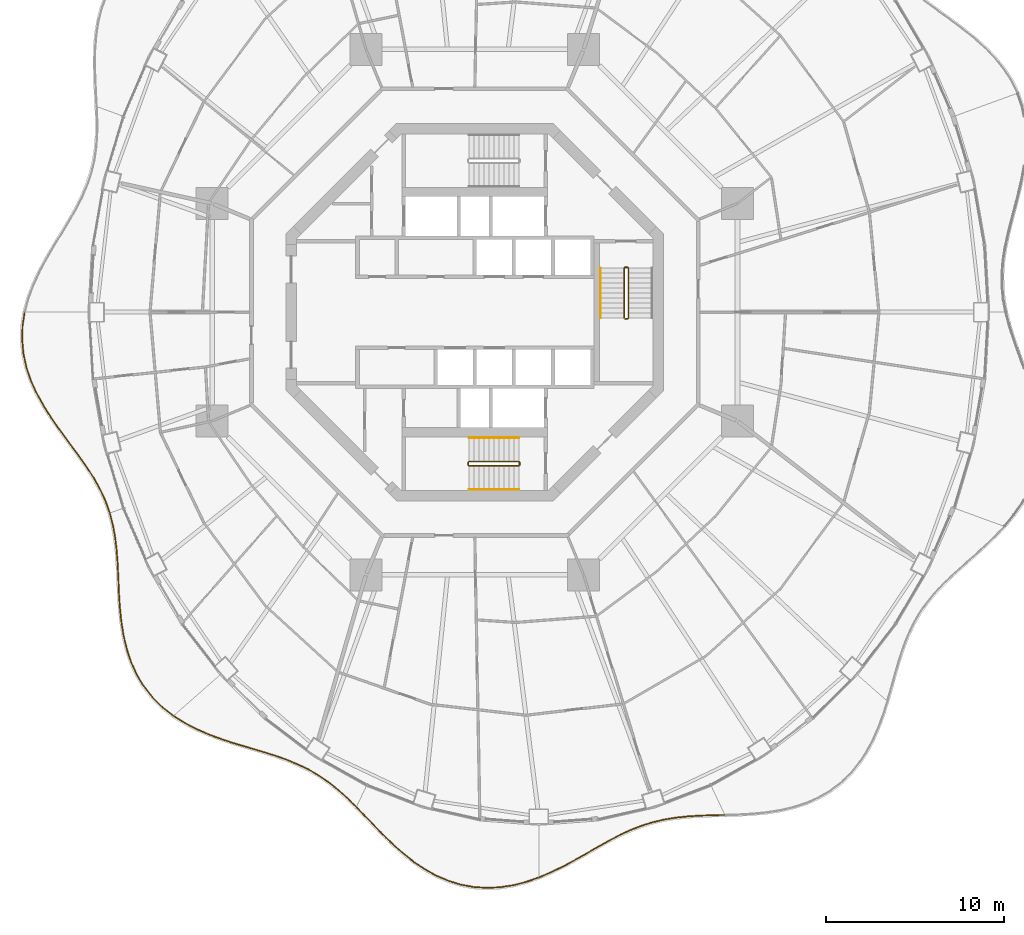
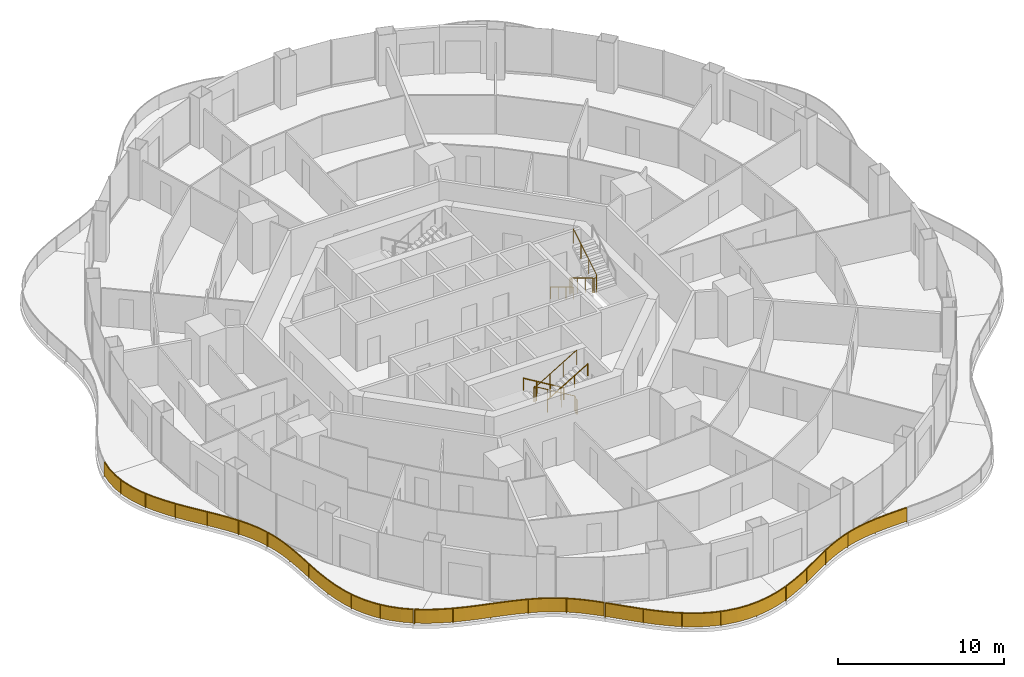
# One storey, part 17 of 19: 10 railings.
"""IFC4 building model written with IfcOpenShell, lengths in metres."""

from ifc_helpers import new_model, si_unit, direction, frame, origin, origin_2d, place, context, subcontext, project, spatial, polyline, rectangle, circle, outline, extrude, material, type_object, element, save


model = new_model("IFC4")

# Units and contexts
model_context = context("Model", 3, precision=1e-05, world=origin(), true_north=direction((0.0, 1.0)))
body_context = subcontext(model_context, "Body", "Model", "MODEL_VIEW")
ifc_project = project(units=[si_unit("LENGTHUNIT", "METRE"), si_unit("AREAUNIT", "SQUARE_METRE"), si_unit("VOLUMEUNIT", "CUBIC_METRE"), si_unit("PLANEANGLEUNIT", "RADIAN"), si_unit("MASSUNIT", "GRAM", prefix="KILO")], contexts=[model_context])

# Site, building, storey
site_placement = place(None, origin())
site = spatial("IfcSite", under=ifc_project, at=site_placement, CompositionType="ELEMENT")
building_placement = place(site_placement, origin())
building = spatial("IfcBuilding", under=site, at=building_placement, Name="Nagisa Residences", CompositionType="ELEMENT")
storey_placement = place(building_placement, frame((0.0, 0.0, 173.300048828125)))
storey = spatial("IfcBuildingStorey", under=building, at=storey_placement, Name="L43", CompositionType="ELEMENT", Elevation=173.300048828125)

# Railings
ifc_material_1 = material(Name="Stainless steel 316", Category="steel")
railing_type_1 = type_object("IfcRailingType", Name="BALCONY GUARD 1100", PredefinedType="BALUSTRADE", material=ifc_material_1)
railing_1_placement = place(storey_placement, frame((-25.33544921875, -0.038330078125, 0.0)))
element("IfcRailing", 1, at=railing_1_placement, inside=storey, type_object=railing_type_1, Name="guard:L43:bal08-0", PredefinedType="BALUSTRADE", context=body_context, shape_type="SweptSolid", body=[
    extrude(outline(polyline([(-0.087890625, -0.7431640625), (0.024658203125, -0.003662109375), (-0.024658203125, 0.003662109375), (-0.1376953125, -0.73876953125), (-0.160888671875, -1.529541015625), (-0.0849609375, -2.316650390625), (0.087158203125, -3.094482421875), (0.34912109375, -3.857666015625), (0.68798828125, -4.589111328125), (1.093017578125, -5.313232421875), (1.545654296875, -6.01611328125), (2.02685546875, -6.698974609375), (2.517822265625, -7.364013671875), (2.996337890625, -8.002197265625), (3.45166015625, -8.64599609375), (3.866455078125, -9.2890625), (4.229736328125, -9.937744140625), (4.53369140625, -10.5986328125), (4.7626953125, -11.240234375), (4.81005859375, -11.2236328125), (4.580078125, -10.57958984375), (4.274169921875, -9.914794921875), (3.909423828125, -9.26318359375), (3.4931640625, -8.6181640625), (3.036865234375, -7.972900390625), (2.557861328125, -7.334228515625), (2.0673828125, -6.669677734375), (1.587158203125, -5.98828125), (1.135986328125, -5.287353515625), (0.732421875, -4.566162109375), (0.3955078125, -3.839111328125), (0.135498046875, -3.080810546875), (-0.03564453125, -2.308837890625), (-0.110595703125, -1.528076171875), (-0.087890625, -0.7431640625)])), frame((0.0, 0.0, 1.050048828125)), (0.0, 0.0, 1.0), 0.050048828125),
    extrude(outline(polyline([(-0.105712890625, -0.74169921875), (0.0068359375, -0.0009765625), (-0.0068359375, 0.0009765625), (-0.119873046875, -0.740234375), (-0.142822265625, -1.529052734375), (-0.067138671875, -2.313720703125), (0.1044921875, -3.089599609375), (0.36572265625, -3.85107421875), (0.703857421875, -4.580810546875), (1.1083984375, -5.303955078125), (1.560546875, -6.006103515625), (2.04150390625, -6.6884765625), (2.5322265625, -7.353271484375), (3.010986328125, -7.99169921875), (3.466552734375, -8.635986328125), (3.8818359375, -9.27978515625), (4.24560546875, -9.929443359375), (4.55029296875, -10.591796875), (4.77978515625, -11.234375), (4.79296875, -11.2294921875), (4.5634765625, -10.58642578125), (4.25830078125, -9.923095703125), (3.89404296875, -9.2724609375), (3.478271484375, -8.628173828125), (3.022216796875, -7.9833984375), (2.54345703125, -7.344970703125), (2.052734375, -6.68017578125), (1.572265625, -5.998291015625), (1.12060546875, -5.296630859375), (0.716552734375, -4.574462890625), (0.37890625, -3.845703125), (0.1181640625, -3.085693359375), (-0.053466796875, -2.311767578125), (-0.128662109375, -1.528564453125), (-0.105712890625, -0.74169921875)])), frame((0.0, 0.0, 0.06005859375)), (0.0, 0.0, 1.0), 0.989990234375),
    extrude(rectangle(XDim=0.0400390625, YDim=0.0400390625, at=origin_2d()), origin(), (0.0, 0.0, 1.0), 1.050048828125),
    extrude(rectangle(XDim=0.0400390625, YDim=0.0400390625, at=origin_2d()), frame((-0.08251953125, -2.082275390625, 0.0)), (0.0, 0.0, 1.0), 1.050048828125),
    extrude(rectangle(XDim=0.0400390625, YDim=0.0400390625, at=origin_2d()), frame((0.4833984375, -4.087890625, 0.0)), (0.0, 0.0, 1.0), 1.050048828125),
    extrude(rectangle(XDim=0.0400390625, YDim=0.0400390625, at=origin_2d()), frame((1.507568359375, -5.91064453125, 0.0)), (0.0, 0.0, 1.0), 1.050048828125),
    extrude(rectangle(XDim=0.0400390625, YDim=0.0400390625, at=origin_2d()), frame((2.732177734375, -7.608154296875, 0.0)), (0.0, 0.0, 1.0), 1.050048828125),
    extrude(rectangle(XDim=0.0400390625, YDim=0.0400390625, at=origin_2d()), frame((3.9189453125, -9.331787109375, 0.0)), (0.0, 0.0, 1.0), 1.050048828125),
    extrude(rectangle(XDim=0.0400390625, YDim=0.0400390625, at=origin_2d()), frame((4.786376953125, -11.23193359375, 0.0)), (0.0, 0.0, 1.0), 1.050048828125),
])
railing_2_placement = place(storey_placement, frame((-20.529296875, -11.336181640625, 0.0)))
element("IfcRailing", 2, at=railing_2_placement, inside=storey, type_object=railing_type_1, Name="guard:L43:bal09-0", PredefinedType="BALUSTRADE", context=body_context, shape_type="SweptSolid", body=[
    extrude(outline(polyline([(0.19189453125, -0.637939453125), (0.024169921875, 0.00634765625), (-0.024169921875, -0.00634765625), (0.14306640625, -0.648681640625), (0.270263671875, -1.355712890625), (0.354736328125, -2.08935546875), (0.4091796875, -2.848876953125), (0.44677734375, -3.630859375), (0.476806640625, -4.41748046875), (0.528076171875, -5.227783203125), (0.610107421875, -6.03955078125), (0.737548828125, -6.843017578125), (0.9228515625, -7.62744140625), (1.16796875, -8.370849609375), (1.4951171875, -9.085693359375), (1.900634765625, -9.7529296875), (2.383544921875, -10.364501953125), (2.940185546875, -10.915771484375), (3.52685546875, -11.374267578125), (3.5576171875, -11.334716796875), (2.973388671875, -10.878173828125), (2.421142578125, -10.331298828125), (1.941650390625, -9.72412109375), (1.53955078125, -9.062255859375), (1.21484375, -8.352783203125), (0.97119140625, -7.61376953125), (0.786865234375, -6.833251953125), (0.659912109375, -6.033203125), (0.577880859375, -5.223876953125), (0.526611328125, -4.4150390625), (0.49658203125, -3.62890625), (0.458984375, -2.845947265625), (0.404541015625, -2.08447265625), (0.319580078125, -1.348388671875), (0.19189453125, -0.637939453125)])), frame((0.0, 0.0, 1.050048828125)), (0.0, 0.0, 1.0), 0.050048828125),
    extrude(outline(polyline([(0.17431640625, -0.641845703125), (0.0068359375, 0.001708984375), (-0.0068359375, -0.001708984375), (0.16064453125, -0.644775390625), (0.2880859375, -1.35302734375), (0.37255859375, -2.087646484375), (0.427001953125, -2.847900390625), (0.464599609375, -3.630126953125), (0.49462890625, -4.41650390625), (0.5458984375, -5.226318359375), (0.628173828125, -6.037353515625), (0.75537109375, -6.839599609375), (0.940185546875, -7.62255859375), (1.184814453125, -8.3642578125), (1.51123046875, -9.0771484375), (1.915283203125, -9.742431640625), (2.397216796875, -10.3525390625), (2.9521484375, -10.90234375), (3.537841796875, -11.360107421875), (3.546630859375, -11.348876953125), (2.96142578125, -10.8916015625), (2.407470703125, -10.34326171875), (1.927001953125, -9.734619140625), (1.5234375, -9.07080078125), (1.197998046875, -8.359375), (0.953857421875, -7.61865234375), (0.76904296875, -6.836669921875), (0.641845703125, -6.035400390625), (0.56005859375, -5.225341796875), (0.5087890625, -4.416015625), (0.478759765625, -3.629638671875), (0.441162109375, -2.846923828125), (0.38671875, -2.086181640625), (0.3017578125, -1.35107421875), (0.17431640625, -0.641845703125)])), frame((0.0, 0.0, 0.06005859375)), (0.0, 0.0, 1.0), 0.989990234375),
    extrude(rectangle(XDim=0.0400390625, YDim=0.0400390625, at=origin_2d()), origin(), (0.0, 0.0, 1.0), 1.050048828125),
    extrude(rectangle(XDim=0.0400390625, YDim=0.0400390625, at=origin_2d()), frame((0.371826171875, -2.01953125, 0.0)), (0.0, 0.0, 1.0), 1.050048828125),
    extrude(rectangle(XDim=0.0400390625, YDim=0.0400390625, at=origin_2d()), frame((0.488525390625, -4.072509765625, 0.0)), (0.0, 0.0, 1.0), 1.050048828125),
    extrude(rectangle(XDim=0.0400390625, YDim=0.0400390625, at=origin_2d()), frame((0.648681640625, -6.1220703125, 0.0)), (0.0, 0.0, 1.0), 1.050048828125),
    extrude(rectangle(XDim=0.0400390625, YDim=0.0400390625, at=origin_2d()), frame((1.1123046875, -8.121826171875, 0.0)), (0.0, 0.0, 1.0), 1.050048828125),
    extrude(rectangle(XDim=0.0400390625, YDim=0.0400390625, at=origin_2d()), frame((2.07177734375, -9.92919921875, 0.0)), (0.0, 0.0, 1.0), 1.050048828125),
    extrude(rectangle(XDim=0.0400390625, YDim=0.0400390625, at=origin_2d()), frame((3.542236328125, -11.3544921875, 0.0)), (0.0, 0.0, 1.0), 1.050048828125),
])
railing_3_placement = place(storey_placement, frame((-16.92333984375, -22.73486328125, 0.0)))
element("IfcRailing", 3, at=railing_3_placement, inside=storey, type_object=railing_type_1, Name="guard:L43:bal10-0", PredefinedType="BALUSTRADE", context=body_context, shape_type="SweptSolid", body=[
    extrude(outline(polyline([(0.618896484375, -0.359619140625), (0.013427734375, 0.021240234375), (-0.013427734375, -0.021240234375), (0.593994140625, -0.403076171875), (1.281982421875, -0.75927734375), (2.0, -1.068359375), (2.73583984375, -1.338623046875), (3.478271484375, -1.579345703125), (4.203857421875, -1.790771484375), (4.92724609375, -2.006103515625), (5.62890625, -2.225830078125), (6.302734375, -2.4619140625), (6.945556640625, -2.724365234375), (7.54296875, -3.011962890625), (8.124267578125, -3.349365234375), (8.679443359375, -3.731201171875), (9.214111328125, -4.158203125), (9.7353515625, -4.627685546875), (10.218017578125, -5.103759765625), (10.253173828125, -5.068115234375), (9.76953125, -4.591064453125), (9.246337890625, -4.1201171875), (8.709228515625, -3.691162109375), (8.151123046875, -3.306884765625), (7.56640625, -2.967529296875), (6.966064453125, -2.678466796875), (6.3203125, -2.4150390625), (5.64453125, -2.178466796875), (4.94189453125, -1.958251953125), (4.218017578125, -1.742919921875), (3.492919921875, -1.531494140625), (2.751953125, -1.291259765625), (2.0185546875, -1.02197265625), (1.303466796875, -0.7138671875), (0.618896484375, -0.359619140625)])), frame((0.0, 0.0, 1.050048828125)), (0.0, 0.0, 1.0), 0.050048828125),
    extrude(outline(polyline([(0.60986328125, -0.375244140625), (0.003662109375, 0.005859375), (-0.003662109375, -0.005859375), (0.60302734375, -0.387451171875), (1.289794921875, -0.742919921875), (2.006591796875, -1.0517578125), (2.74169921875, -1.321533203125), (3.483642578125, -1.56201171875), (4.208984375, -1.773681640625), (4.9326171875, -1.98876953125), (5.634521484375, -2.208740234375), (6.30908203125, -2.445068359375), (6.952880859375, -2.707763671875), (7.551513671875, -2.995849609375), (8.134033203125, -3.333984375), (8.690185546875, -3.716796875), (9.2255859375, -4.14453125), (9.74755859375, -4.614501953125), (10.230712890625, -5.0908203125), (10.240478515625, -5.0810546875), (9.75732421875, -4.604248046875), (9.23486328125, -4.1337890625), (8.698486328125, -3.70556640625), (8.141357421875, -3.322265625), (7.557861328125, -2.983642578125), (6.958740234375, -2.695068359375), (6.31396484375, -2.431884765625), (5.638916015625, -2.195556640625), (4.9365234375, -1.9755859375), (4.212890625, -1.760009765625), (3.487548828125, -1.548828125), (2.74609375, -1.308349609375), (2.011962890625, -1.03857421875), (1.295654296875, -0.730224609375), (0.60986328125, -0.375244140625)])), frame((0.0, 0.0, 0.06005859375)), (0.0, 0.0, 1.0), 0.989990234375),
    extrude(rectangle(XDim=0.0400390625, YDim=0.0400390625, at=origin_2d()), origin(), (0.0, 0.0, 1.0), 1.050048828125),
    extrude(rectangle(XDim=0.0400390625, YDim=0.0400390625, at=origin_2d()), frame((2.05126953125, -1.060546875, 0.0)), (0.0, 0.0, 1.0), 1.050048828125),
    extrude(rectangle(XDim=0.0400390625, YDim=0.0400390625, at=origin_2d()), frame((4.250244140625, -1.778564453125, 0.0)), (0.0, 0.0, 1.0), 1.050048828125),
    extrude(rectangle(XDim=0.0400390625, YDim=0.0400390625, at=origin_2d()), frame((6.44970703125, -2.494873046875, 0.0)), (0.0, 0.0, 1.0), 1.050048828125),
    extrude(rectangle(XDim=0.0400390625, YDim=0.0400390625, at=origin_2d()), frame((8.490966796875, -3.5712890625, 0.0)), (0.0, 0.0, 1.0), 1.050048828125),
    extrude(rectangle(XDim=0.0400390625, YDim=0.0400390625, at=origin_2d()), frame((10.235595703125, -5.0859375, 0.0)), (0.0, 0.0, 1.0), 1.050048828125),
])
railing_4_placement = place(storey_placement, frame((-6.63720703125, -27.874755859375, 0.0)))
element("IfcRailing", 4, at=railing_4_placement, inside=storey, type_object=railing_type_1, Name="guard:L43:bal11-0", PredefinedType="BALUSTRADE", context=body_context, shape_type="SweptSolid", body=[
    extrude(outline(polyline([(0.48486328125, -0.46728515625), (0.01806640625, 0.017333984375), (-0.01806640625, -0.017333984375), (0.44873046875, -0.501953125), (0.95751953125, -1.03369140625), (1.482666015625, -1.5703125), (2.029052734375, -2.098876953125), (2.601806640625, -2.605712890625), (3.18603515625, -3.072265625), (3.81689453125, -3.49560546875), (4.476318359375, -3.858642578125), (5.162109375, -4.1513671875), (5.870361328125, -4.36669921875), (6.580322265625, -4.496337890625), (7.3154296875, -4.5439453125), (8.0576171875, -4.50830078125), (8.798828125, -4.3935546875), (9.532958984375, -4.206787109375), (10.209228515625, -3.97119140625), (10.192626953125, -3.923828125), (9.518310546875, -4.158935546875), (8.78857421875, -4.34423828125), (8.052734375, -4.45849609375), (7.31591796875, -4.49365234375), (6.586669921875, -4.446533203125), (5.882080078125, -4.31787109375), (5.17919921875, -4.1044921875), (4.498291015625, -3.813720703125), (3.8427734375, -3.45263671875), (3.2158203125, -3.03173828125), (2.634033203125, -2.567626953125), (2.063232421875, -2.062255859375), (1.517822265625, -1.53466796875), (0.99365234375, -0.9990234375), (0.48486328125, -0.46728515625)])), frame((0.0, 0.0, 1.050048828125)), (0.0, 0.0, 1.0), 0.050048828125),
    extrude(outline(polyline([(0.471923828125, -0.479736328125), (0.005126953125, 0.0048828125), (-0.005126953125, -0.0048828125), (0.461669921875, -0.489501953125), (0.970458984375, -1.021240234375), (1.495361328125, -1.557373046875), (2.04150390625, -2.085693359375), (2.613525390625, -2.592041015625), (3.19677734375, -3.0576171875), (3.826171875, -3.480224609375), (4.484130859375, -3.842529296875), (5.168212890625, -4.134521484375), (5.87451171875, -4.34912109375), (6.58251953125, -4.478515625), (7.315673828125, -4.52587890625), (8.055908203125, -4.490478515625), (8.795166015625, -4.375732421875), (9.527587890625, -4.189453125), (10.203125, -3.9541015625), (10.19873046875, -3.94091796875), (9.523681640625, -4.17626953125), (8.792236328125, -4.362060546875), (8.054443359375, -4.476318359375), (7.315673828125, -4.51171875), (6.58447265625, -4.46435546875), (5.8779296875, -4.33544921875), (5.173095703125, -4.121337890625), (4.490478515625, -3.829833984375), (3.83349609375, -3.468017578125), (3.205078125, -3.04638671875), (2.622314453125, -2.581298828125), (2.05078125, -2.075439453125), (1.505126953125, -1.547607421875), (0.980712890625, -1.011474609375), (0.471923828125, -0.479736328125)])), frame((0.0, 0.0, 0.06005859375)), (0.0, 0.0, 1.0), 0.989990234375),
    extrude(rectangle(XDim=0.0400390625, YDim=0.0400390625, at=origin_2d()), origin(), (0.0, 0.0, 1.0), 1.050048828125),
    extrude(rectangle(XDim=0.0400390625, YDim=0.0400390625, at=origin_2d()), frame((1.648681640625, -1.696044921875, 0.0)), (0.0, 0.0, 1.0), 1.050048828125),
    extrude(rectangle(XDim=0.0400390625, YDim=0.0400390625, at=origin_2d()), frame((3.452392578125, -3.220703125, 0.0)), (0.0, 0.0, 1.0), 1.050048828125),
    extrude(rectangle(XDim=0.0400390625, YDim=0.0400390625, at=origin_2d()), frame((5.56982421875, -4.249267578125, 0.0)), (0.0, 0.0, 1.0), 1.050048828125),
    extrude(rectangle(XDim=0.0400390625, YDim=0.0400390625, at=origin_2d()), frame((7.90771484375, -4.490478515625, 0.0)), (0.0, 0.0, 1.0), 1.050048828125),
    extrude(rectangle(XDim=0.0400390625, YDim=0.0400390625, at=origin_2d()), frame((10.200927734375, -3.947509765625, 0.0)), (0.0, 0.0, 1.0), 1.050048828125),
])
railing_5_placement = place(storey_placement, frame((3.635498046875, -31.793701171875, 0.0)))
element("IfcRailing", 5, at=railing_5_placement, inside=storey, type_object=railing_type_1, Name="guard:L43:bal12-0", PredefinedType="BALUSTRADE", context=body_context, shape_type="SweptSolid", body=[
    extrude(outline(polyline([(0.650146484375, 0.305419921875), (-0.009765625, 0.02294921875), (0.009765625, -0.02294921875), (0.671142578125, 0.260009765625), (1.359375, 0.59619140625), (2.028564453125, 0.955322265625), (2.678955078125, 1.32373046875), (3.313232421875, 1.687255859375), (3.9169921875, 2.031005859375), (4.529541015625, 2.349365234375), (5.138916015625, 2.631591796875), (5.750732421875, 2.87158203125), (6.37060546875, 3.06689453125), (6.986572265625, 3.21240234375), (7.63671875, 3.321044921875), (8.30712890625, 3.393798828125), (8.998779296875, 3.438232421875), (9.711669921875, 3.464111328125), (10.3974609375, 3.479736328125), (10.396484375, 3.529541015625), (9.710205078125, 3.513916015625), (8.996337890625, 3.488037109375), (8.302734375, 3.443603515625), (7.6298828125, 3.370849609375), (6.976806640625, 3.26171875), (6.357421875, 3.115234375), (5.734130859375, 2.9189453125), (5.119384765625, 2.677490234375), (4.507568359375, 2.394287109375), (3.89306640625, 2.074951171875), (3.288330078125, 1.730712890625), (2.654052734375, 1.3671875), (2.004150390625, 0.999267578125), (1.33642578125, 0.640625), (0.650146484375, 0.305419921875)])), frame((0.0, 0.0, 1.050048828125)), (0.0, 0.0, 1.0), 0.050048828125),
    extrude(outline(polyline([(0.65771484375, 0.2890625), (-0.002685546875, 0.00634765625), (0.002685546875, -0.00634765625), (0.66357421875, 0.2763671875), (1.35107421875, 0.612060546875), (2.019775390625, 0.97119140625), (2.669921875, 1.33935546875), (3.30419921875, 1.702880859375), (3.908447265625, 2.046875), (4.521728515625, 2.365478515625), (5.1318359375, 2.648193359375), (5.744873046875, 2.888671875), (6.365966796875, 3.084228515625), (6.983154296875, 3.230224609375), (7.63427734375, 3.339111328125), (8.305419921875, 3.41162109375), (8.997802734375, 3.4560546875), (9.711181640625, 3.48193359375), (10.397216796875, 3.49755859375), (10.396728515625, 3.51171875), (9.710693359375, 3.49609375), (8.997314453125, 3.47021484375), (8.304443359375, 3.42578125), (7.63232421875, 3.352783203125), (6.980224609375, 3.243896484375), (6.362060546875, 3.097900390625), (5.739990234375, 2.90185546875), (5.12646484375, 2.660888671875), (4.515380859375, 2.378173828125), (3.901611328125, 2.05908203125), (3.29736328125, 1.715087890625), (2.6630859375, 1.3515625), (2.012939453125, 0.9833984375), (1.3447265625, 0.624755859375), (0.65771484375, 0.2890625)])), frame((0.0, 0.0, 0.06005859375)), (0.0, 0.0, 1.0), 0.989990234375),
    extrude(rectangle(XDim=0.0400390625, YDim=0.0400390625, at=origin_2d()), origin(), (0.0, 0.0, 1.0), 1.050048828125),
    extrude(rectangle(XDim=0.0400390625, YDim=0.0400390625, at=origin_2d()), frame((2.006591796875, 0.97216796875, 0.0)), (0.0, 0.0, 1.0), 1.050048828125),
    extrude(rectangle(XDim=0.0400390625, YDim=0.0400390625, at=origin_2d()), frame((3.9462890625, 2.074462890625, 0.0)), (0.0, 0.0, 1.0), 1.050048828125),
    extrude(rectangle(XDim=0.0400390625, YDim=0.0400390625, at=origin_2d()), frame((5.985107421875, 2.9716796875, 0.0)), (0.0, 0.0, 1.0), 1.050048828125),
    extrude(rectangle(XDim=0.0400390625, YDim=0.0400390625, at=origin_2d()), frame((8.168701171875, 3.404052734375, 0.0)), (0.0, 0.0, 1.0), 1.050048828125),
    extrude(rectangle(XDim=0.0400390625, YDim=0.0400390625, at=origin_2d()), frame((10.39697265625, 3.504638671875, 0.0)), (0.0, 0.0, 1.0), 1.050048828125),
])
ifc_material_2 = material(Name="Stainless steel", Category="steel")
railing_type_2 = type_object("IfcRailingType", Name="Stair guard 1100", PredefinedType="GUARDRAIL", material=ifc_material_2)
railing_6_placement = place(storey_placement, frame((8.599609375, 2.52490234375, 0.0)))
element("IfcRailing", 6, at=railing_6_placement, inside=storey, type_object=railing_type_2, Name="L43 ST-E stair guard 1", PredefinedType="GUARDRAIL", context=body_context, shape_type="SweptSolid", body=[
    extrude(circle(Radius=0.02392578125, at=origin_2d()), frame((0.0, 0.0, 1.076171875), z_axis=(-1.0, 0.0, 0.0), x_axis=(0.0, -1.0, 0.0)), (0.0, 0.0, 1.0), 0.14990234375),
    extrude(circle(Radius=0.02392578125, at=origin_2d()), frame((-0.14990234375, 0.0, 1.076171875), z_axis=(-0.27434429532, -0.273006030465, 0.922064485248), x_axis=(0.705375805398, -0.708833529934, 0.0)), (0.0, 0.0, 1.0), 0.182373046875),
    extrude(circle(Radius=0.02392578125, at=origin_2d()), frame((-0.199951171875, -0.0498046875, 1.244140625), z_axis=(0.0, -0.857275202839, 0.514858452973), x_axis=(1.0, 0.0, 0.0)), (0.0, 0.0, 1.0), 3.26611328125),
    extrude(circle(Radius=0.02392578125, at=origin_2d()), frame((-0.199951171875, -2.849853515625, 2.92578125), z_axis=(0.707106781187, -0.707106781187, 0.0), x_axis=(0.707106781187, 0.707106781187, 0.0)), (0.0, 0.0, 1.0), 0.07080078125),
    extrude(circle(Radius=0.02392578125, at=origin_2d()), frame((-0.14990234375, -2.89990234375, 2.92578125), z_axis=(1.0, 0.0, 0.0), x_axis=(0.0, 1.0, 0.0)), (0.0, 0.0, 1.0), 0.14990234375),
    extrude(circle(Radius=0.02392578125, at=origin_2d()), frame((0.0, -2.89990234375, 2.92578125), z_axis=(0.274243871929, 0.274243871929, 0.92172696468), x_axis=(-0.707106781187, 0.707106781187, 0.0)), (0.0, 0.0, 1.0), 0.1826171875),
    extrude(circle(Radius=0.02392578125, at=origin_2d()), frame((0.050048828125, -2.849853515625, 3.09423828125), z_axis=(0.0, 0.857242210791, 0.514913383045), x_axis=(-1.0, 0.0, 0.0)), (0.0, 0.0, 1.0), 3.266357421875),
    extrude(circle(Radius=0.02099609375, at=origin_2d()), origin(), (0.0, 0.0, 1.0), 1.052001953125),
    extrude(circle(Radius=0.02099609375, at=origin_2d()), frame((-0.14990234375, 0.0, 0.0)), (0.0, 0.0, 1.0), 1.052001953125),
    extrude(circle(Radius=0.02099609375, at=origin_2d()), frame((-0.199951171875, -0.0498046875, 0.168212890625)), (0.0, 0.0, 1.0), 1.052001953125),
    extrude(circle(Radius=0.02099609375, at=origin_2d()), frame((-0.199951171875, -0.983154296875, 0.728759765625)), (0.0, 0.0, 1.0), 1.052001953125),
    extrude(circle(Radius=0.02099609375, at=origin_2d()), frame((-0.199951171875, -1.91650390625, 1.289306640625)), (0.0, 0.0, 1.0), 1.052001953125),
    extrude(circle(Radius=0.02099609375, at=origin_2d()), frame((-0.199951171875, -2.849853515625, 1.849853515625)), (0.0, 0.0, 1.0), 1.052001953125),
    extrude(circle(Radius=0.02099609375, at=origin_2d()), frame((-0.14990234375, -2.89990234375, 1.849853515625)), (0.0, 0.0, 1.0), 1.052001953125),
    extrude(circle(Radius=0.02099609375, at=origin_2d()), frame((0.0, -2.89990234375, 1.849853515625)), (0.0, 0.0, 1.0), 1.052001953125),
    extrude(circle(Radius=0.02099609375, at=origin_2d()), frame((0.050048828125, -2.849853515625, 2.01806640625)), (0.0, 0.0, 1.0), 1.052001953125),
    extrude(circle(Radius=0.02099609375, at=origin_2d()), frame((0.050048828125, -1.91650390625, 2.57861328125)), (0.0, 0.0, 1.0), 1.052001953125),
    extrude(circle(Radius=0.02099609375, at=origin_2d()), frame((0.050048828125, -0.983154296875, 3.139404296875)), (0.0, 0.0, 1.0), 1.052001953125),
    extrude(circle(Radius=0.02099609375, at=origin_2d()), frame((0.050048828125, -0.0498046875, 3.699951171875)), (0.0, 0.0, 1.0), 1.052001953125),
])
railing_7_placement = place(storey_placement, frame((2.52490234375, -8.599609375, 0.0)))
element("IfcRailing", 7, at=railing_7_placement, inside=storey, type_object=railing_type_2, Name="L43 ST-S stair guard 1", PredefinedType="GUARDRAIL", context=body_context, shape_type="SweptSolid", body=[
    extrude(circle(Radius=0.02392578125, at=origin_2d()), frame((0.0, 0.0, 1.076171875), z_axis=(0.0, 1.0, 0.0), x_axis=(-1.0, 0.0, 0.0)), (0.0, 0.0, 1.0), 0.14990234375),
    extrude(circle(Radius=0.02392578125, at=origin_2d()), frame((0.0, 0.14990234375, 1.076171875), z_axis=(-0.273006030465, 0.27434429532, 0.922064485248), x_axis=(-0.708833529934, -0.705375805398, 0.0)), (0.0, 0.0, 1.0), 0.182373046875),
    extrude(circle(Radius=0.02392578125, at=origin_2d()), frame((-0.0498046875, 0.199951171875, 1.244140625), z_axis=(-0.857275202839, 0.0, 0.514858452973), x_axis=(0.0, -1.0, 0.0)), (0.0, 0.0, 1.0), 3.26611328125),
    extrude(circle(Radius=0.02392578125, at=origin_2d()), frame((-2.849853515625, 0.199951171875, 2.92578125), z_axis=(-0.707106781187, -0.707106781187, 0.0), x_axis=(0.707106781187, -0.707106781187, 0.0)), (0.0, 0.0, 1.0), 0.07080078125),
    extrude(circle(Radius=0.02392578125, at=origin_2d()), frame((-2.89990234375, 0.14990234375, 2.92578125), z_axis=(0.0, -1.0, 0.0), x_axis=(1.0, 0.0, 0.0)), (0.0, 0.0, 1.0), 0.14990234375),
    extrude(circle(Radius=0.02392578125, at=origin_2d()), frame((-2.89990234375, 0.0, 2.92578125), z_axis=(0.274243871929, -0.274243871929, 0.92172696468), x_axis=(0.707106781187, 0.707106781187, 0.0)), (0.0, 0.0, 1.0), 0.1826171875),
    extrude(circle(Radius=0.02392578125, at=origin_2d()), frame((-2.849853515625, -0.050048828125, 3.09423828125), z_axis=(0.857242210791, 0.0, 0.514913383045), x_axis=(0.0, 1.0, 0.0)), (0.0, 0.0, 1.0), 3.266357421875),
    extrude(circle(Radius=0.02099609375, at=origin_2d()), origin(), (0.0, 0.0, 1.0), 1.052001953125),
    extrude(circle(Radius=0.02099609375, at=origin_2d()), frame((0.0, 0.14990234375, 0.0)), (0.0, 0.0, 1.0), 1.052001953125),
    extrude(circle(Radius=0.02099609375, at=origin_2d()), frame((-0.0498046875, 0.199951171875, 0.168212890625)), (0.0, 0.0, 1.0), 1.052001953125),
    extrude(circle(Radius=0.02099609375, at=origin_2d()), frame((-0.983154296875, 0.199951171875, 0.728759765625)), (0.0, 0.0, 1.0), 1.052001953125),
    extrude(circle(Radius=0.02099609375, at=origin_2d()), frame((-1.91650390625, 0.199951171875, 1.289306640625)), (0.0, 0.0, 1.0), 1.052001953125),
    extrude(circle(Radius=0.02099609375, at=origin_2d()), frame((-2.849853515625, 0.199951171875, 1.849853515625)), (0.0, 0.0, 1.0), 1.052001953125),
    extrude(circle(Radius=0.02099609375, at=origin_2d()), frame((-2.89990234375, 0.14990234375, 1.849853515625)), (0.0, 0.0, 1.0), 1.052001953125),
    extrude(circle(Radius=0.02099609375, at=origin_2d()), frame((-2.89990234375, 0.0, 1.849853515625)), (0.0, 0.0, 1.0), 1.052001953125),
    extrude(circle(Radius=0.02099609375, at=origin_2d()), frame((-2.849853515625, -0.050048828125, 2.01806640625)), (0.0, 0.0, 1.0), 1.052001953125),
    extrude(circle(Radius=0.02099609375, at=origin_2d()), frame((-1.91650390625, -0.050048828125, 2.57861328125)), (0.0, 0.0, 1.0), 1.052001953125),
    extrude(circle(Radius=0.02099609375, at=origin_2d()), frame((-0.983154296875, -0.050048828125, 3.139404296875)), (0.0, 0.0, 1.0), 1.052001953125),
    extrude(circle(Radius=0.02099609375, at=origin_2d()), frame((-0.0498046875, -0.050048828125, 3.699951171875)), (0.0, 0.0, 1.0), 1.052001953125),
])
ifc_material_3 = material(Name="Stainless steel", Category="steel")
railing_type_3 = type_object("IfcRailingType", Name="Stair handrail 900", PredefinedType="HANDRAIL", material=ifc_material_3)
railing_8_placement = place(storey_placement, frame((7.07470703125, 2.47509765625, 0.168212890625)))
element("IfcRailing", 8, at=railing_8_placement, inside=storey, type_object=railing_type_3, Name="L43 ST-E stair handrail 1", PredefinedType="HANDRAIL", context=body_context, shape_type="SweptSolid", body=[
    extrude(circle(Radius=0.02392578125, at=origin_2d()), frame((0.0, 0.0, 0.8759765625), z_axis=(0.0, -0.857275202839, 0.514858452973), x_axis=(1.0, 0.0, 0.0)), (0.0, 0.0, 1.0), 3.26611328125),
    extrude(circle(Radius=0.02099609375, at=origin_2d()), origin(), (0.0, 0.0, 1.0), 0.851806640625),
    extrude(circle(Radius=0.02099609375, at=origin_2d()), frame((0.0, -0.933349609375, 0.560546875)), (0.0, 0.0, 1.0), 0.851806640625),
    extrude(circle(Radius=0.02099609375, at=origin_2d()), frame((0.0, -1.86669921875, 1.12109375)), (0.0, 0.0, 1.0), 0.851806640625),
    extrude(circle(Radius=0.02099609375, at=origin_2d()), frame((0.0, -2.800048828125, 1.681640625)), (0.0, 0.0, 1.0), 0.851806640625),
])
railing_9_placement = place(storey_placement, frame((2.47509765625, -7.07470703125, 0.168212890625)))
element("IfcRailing", 9, at=railing_9_placement, inside=storey, type_object=railing_type_3, Name="L43 ST-S stair handrail 1", PredefinedType="HANDRAIL", context=body_context, shape_type="SweptSolid", body=[
    extrude(circle(Radius=0.02392578125, at=origin_2d()), frame((0.0, 0.0, 0.8759765625), z_axis=(-0.857275202839, 0.0, 0.514858452973), x_axis=(0.0, -1.0, 0.0)), (0.0, 0.0, 1.0), 3.26611328125),
    extrude(circle(Radius=0.02099609375, at=origin_2d()), origin(), (0.0, 0.0, 1.0), 0.851806640625),
    extrude(circle(Radius=0.02099609375, at=origin_2d()), frame((-0.933349609375, 0.0, 0.560546875)), (0.0, 0.0, 1.0), 0.851806640625),
    extrude(circle(Radius=0.02099609375, at=origin_2d()), frame((-1.86669921875, 0.0, 1.12109375)), (0.0, 0.0, 1.0), 0.851806640625),
    extrude(circle(Radius=0.02099609375, at=origin_2d()), frame((-2.800048828125, 0.0, 1.681640625)), (0.0, 0.0, 1.0), 0.851806640625),
])
railing_10_placement = place(storey_placement, frame((-0.324951171875, -9.974609375, 2.01806640625)))
element("IfcRailing", 10, at=railing_10_placement, inside=storey, type_object=railing_type_3, Name="L43 ST-S stair handrail 2", PredefinedType="HANDRAIL", context=body_context, shape_type="SweptSolid", body=[
    extrude(circle(Radius=0.02392578125, at=origin_2d()), frame((0.0, 0.0, 0.8759765625), z_axis=(0.857242210791, 0.0, 0.514913383045), x_axis=(0.0, 1.0, 0.0)), (0.0, 0.0, 1.0), 3.266357421875),
    extrude(circle(Radius=0.02099609375, at=origin_2d()), origin(), (0.0, 0.0, 1.0), 0.851806640625),
    extrude(circle(Radius=0.02099609375, at=origin_2d()), frame((0.933349609375, 0.0, 0.560546875)), (0.0, 0.0, 1.0), 0.851806640625),
    extrude(circle(Radius=0.02099609375, at=origin_2d()), frame((1.86669921875, 0.0, 1.121337890625)), (0.0, 0.0, 1.0), 0.851806640625),
    extrude(circle(Radius=0.02099609375, at=origin_2d()), frame((2.800048828125, 0.0, 1.681884765625)), (0.0, 0.0, 1.0), 0.851806640625),
])

save(model, "model.ifc")
